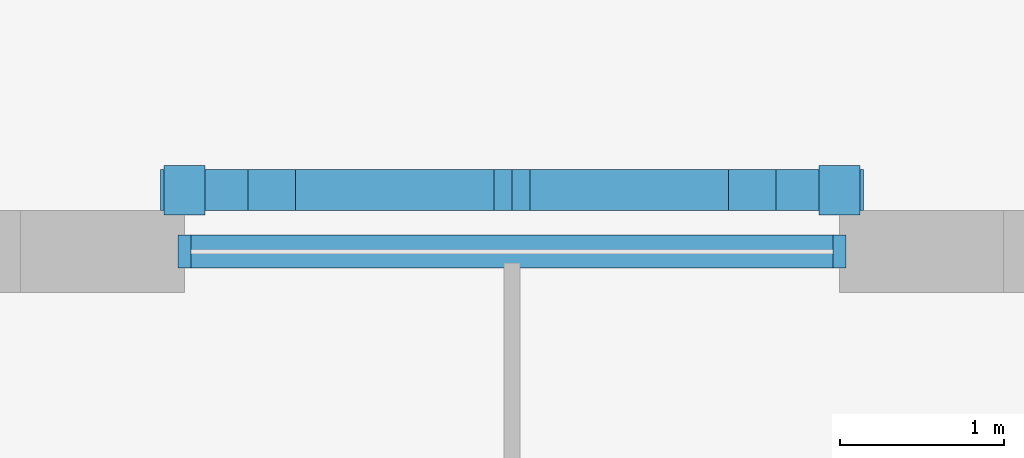
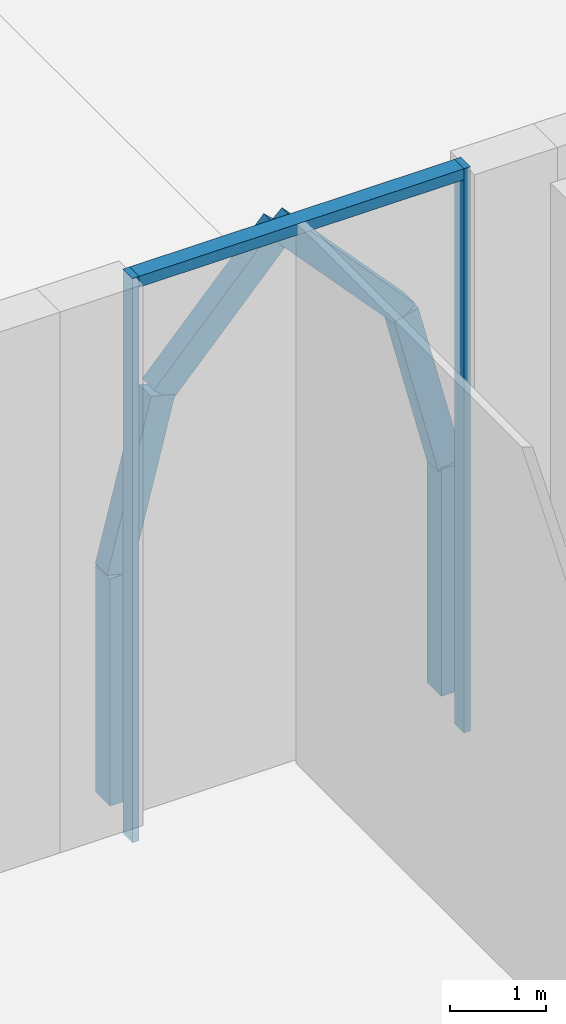
# One storey, part 9 of 48: 9 members, 1 element without a shape of its own.
"""IFC4 building model written with IfcOpenShell, lengths in metres."""

from ifc_helpers import new_model, si_unit, direction, frame, origin, origin_2d, place, context, subcontext, project, spatial, rectangle, extrude, material, material_profile, profile_set, type_object, element, aggregate, save


model = new_model("IFC4")

# Units and contexts
model_context = context("Model", 3, precision=1e-05, world=origin(), true_north=direction((0.0, 1.0)))
body_context = subcontext(model_context, "Body", "Model", "MODEL_VIEW")
ifc_project = project(units=[si_unit("LENGTHUNIT", "METRE"), si_unit("AREAUNIT", "SQUARE_METRE"), si_unit("VOLUMEUNIT", "CUBIC_METRE"), si_unit("PLANEANGLEUNIT", "RADIAN"), si_unit("MASSUNIT", "GRAM", prefix="KILO")], contexts=[model_context])

# Site, building, storey
site_placement = place(None, origin())
site = spatial("IfcSite", under=ifc_project, at=site_placement, CompositionType="ELEMENT")
building_placement = place(site_placement, origin())
building = spatial("IfcBuilding", under=site, at=building_placement, Name="Ogive Gate Towers", CompositionType="ELEMENT")
storey_placement = place(building_placement, origin())
storey = spatial("IfcBuildingStorey", under=building, at=storey_placement, Name="L00", CompositionType="ELEMENT", Elevation=0.0)

# Members
ifc_material_1 = material(Name="Precast concrete C40/50", Category="concrete")
ifc_material_profile_1 = material_profile(ifc_material_1, rectangle(XDim=0.25, YDim=0.300048828125, at=origin_2d()), Name="250 x 300 cast stone")
ifc_profile_set_1 = profile_set([ifc_material_profile_1], Name="Precast concrete C40/50")
member_type_1 = type_object("IfcMemberType", Name="Arch rib 250 x 300", PredefinedType="USERDEFINED", material=ifc_profile_set_1)
member_1_placement = place(storey_placement, frame((-10.0, 38.125, 0.0), z_axis=(0.0, 0.0, 1.0), x_axis=(1.0, 0.0, 0.0)))
element("IfcMember", 1, at=member_1_placement, inside=storey, type_object=member_type_1, Name="Arcade arch rib", ObjectType="ARCH RIB", PredefinedType="USERDEFINED", context=body_context, shape_type="SweptSolid", body=[
    extrude(rectangle(XDim=0.25, YDim=0.300048828125, at=origin_2d()), origin(), (0.0, 0.0, 1.0), 2.89990234375),
])
for number, where, z_axis, x_axis, name in (
    (2, (-10.0, 38.125, 2.89990234375), (-0.245931792163, 0.0, 0.969287136819), (0.0, -1.0, 0.0), "Arcade arch rib"),
    (3, (-10.5322265625, 38.125, 4.99755859375), (-0.678223875113, 0.0, 0.734855343062), (0.0, -1.0, 0.0), "Arcade arch rib"),
):
    element("IfcMember", number, at=place(storey_placement, frame(where, z_axis=z_axis, x_axis=x_axis)), inside=storey, type_object=member_type_1, Name=name, ObjectType="ARCH RIB", PredefinedType="USERDEFINED", context=body_context, shape_type="SweptSolid", body=[
        extrude(rectangle(XDim=0.25, YDim=0.300048828125, at=origin_2d()), origin(), (0.0, 0.0, 1.0), 2.1640625),
    ])
member_2_placement = place(storey_placement, frame((-14.0, 38.125, 0.0), z_axis=(0.0, 0.0, 1.0), x_axis=(1.0, 0.0, 0.0)))
element("IfcMember", 4, at=member_2_placement, inside=storey, type_object=member_type_1, Name="Arcade arch rib", ObjectType="ARCH RIB", PredefinedType="USERDEFINED", context=body_context, shape_type="SweptSolid", body=[
    extrude(rectangle(XDim=0.25, YDim=0.300048828125, at=origin_2d()), origin(), (0.0, 0.0, 1.0), 2.89990234375),
])
for number, where, z_axis, x_axis, name in (
    (5, (-14.0, 38.125, 2.89990234375), (0.245931792163, 0.0, 0.969287136819), (0.0, 1.0, 0.0), "Arcade arch rib"),
    (6, (-13.4677734375, 38.125, 4.99755859375), (0.678223875113, 0.0, 0.734855343062), (0.0, 1.0, 0.0), "Arcade arch rib"),
):
    element("IfcMember", number, at=place(storey_placement, frame(where, z_axis=z_axis, x_axis=x_axis)), inside=storey, type_object=member_type_1, Name=name, ObjectType="ARCH RIB", PredefinedType="USERDEFINED", context=body_context, shape_type="SweptSolid", body=[
        extrude(rectangle(XDim=0.25, YDim=0.300048828125, at=origin_2d()), origin(), (0.0, 0.0, 1.0), 2.1640625),
    ])

# Curtain wall, members
ifc_material_2 = material(Name="Pale metal aluminium", Category="aluminium")
curtain_wall_type = type_object("IfcCurtainWallType", Name="Podium glazing", PredefinedType="NOTDEFINED", material=ifc_material_2)
curtain_wall_placement = place(storey_placement, origin())
curtain_wall = element("IfcCurtainWall", 7, at=curtain_wall_placement, inside=storey, type_object=curtain_wall_type, Name="CW6 PD ECW05", PredefinedType="NOTDEFINED")
ifc_material_profile_2 = material_profile(ifc_material_2, rectangle(XDim=0.199951171875, YDim=0.080078125, at=origin_2d()), Name="80 x 200 aluminium box")
ifc_profile_set_2 = profile_set([ifc_material_profile_2], Name="Pale metal aluminium")
member_type_2 = type_object("IfcMemberType", Name="Podium glazing mullion 80 x 200", PredefinedType="MULLION", material=ifc_profile_set_2)
member_3_placement = place(storey_placement, frame((-10.0, 37.75, -0.300048828125), z_axis=(0.0, 0.0, 1.0), x_axis=(0.0, 1.0, 0.0)))
member_3 = element("IfcMember", 8, at=member_3_placement, type_object=member_type_2, Name="CW6 mullion", PredefinedType="MULLION", context=body_context, shape_type="SweptSolid", body=[
    extrude(rectangle(XDim=0.199951171875, YDim=0.080078125, at=origin_2d()), origin(), (0.0, 0.0, 1.0), 7.199951171875),
])
member_4_placement = place(storey_placement, frame((-14.0, 37.75, -0.300048828125), z_axis=(0.0, 0.0, 1.0), x_axis=(0.0, 1.0, 0.0)))
member_4 = element("IfcMember", 9, at=member_4_placement, type_object=member_type_2, Name="CW6 mullion", PredefinedType="MULLION", context=body_context, shape_type="SweptSolid", body=[
    extrude(rectangle(XDim=0.199951171875, YDim=0.080078125, at=origin_2d()), origin(), (0.0, 0.0, 1.0), 7.199951171875),
])
ifc_material_profile_3 = material_profile(ifc_material_2, rectangle(XDim=0.199951171875, YDim=0.139892578125, at=origin_2d()), Name="140 x 200 aluminium box")
ifc_profile_set_3 = profile_set([ifc_material_profile_3], Name="Pale metal aluminium")
member_type_3 = type_object("IfcMemberType", Name="Podium glazing transom 140 x 200", PredefinedType="USERDEFINED", material=ifc_profile_set_3)
member_5_placement = place(storey_placement, frame((-10.0400390625, 37.75, 6.830078125), z_axis=(-1.0, 0.0, 0.0), x_axis=(0.0, -1.0, 0.0)))
member_5 = element("IfcMember", 10, at=member_5_placement, type_object=member_type_3, Name="CW6 transom", ObjectType="TRANSOM", PredefinedType="USERDEFINED", context=body_context, shape_type="SweptSolid", body=[
    extrude(rectangle(XDim=0.199951171875, YDim=0.139892578125, at=origin_2d()), origin(), (0.0, 0.0, 1.0), 3.919921875),
])
aggregate(curtain_wall, [member_3, member_4, member_5])

save(model, "model.ifc")
